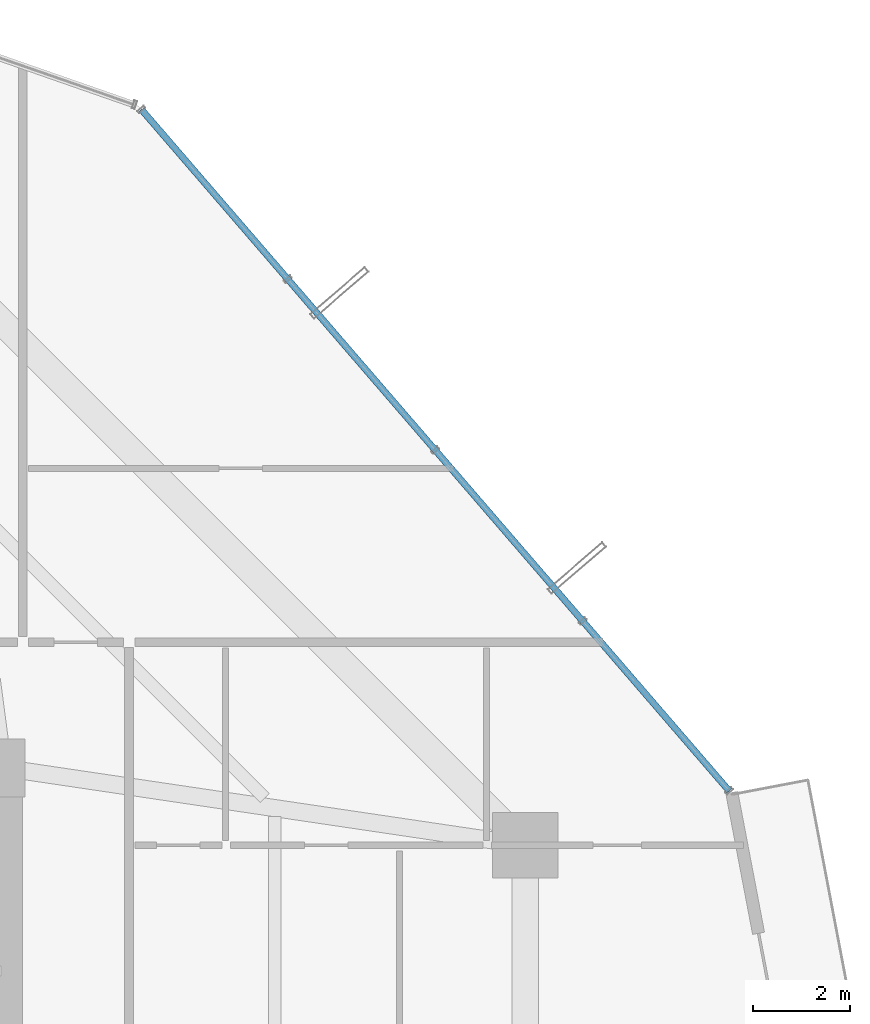
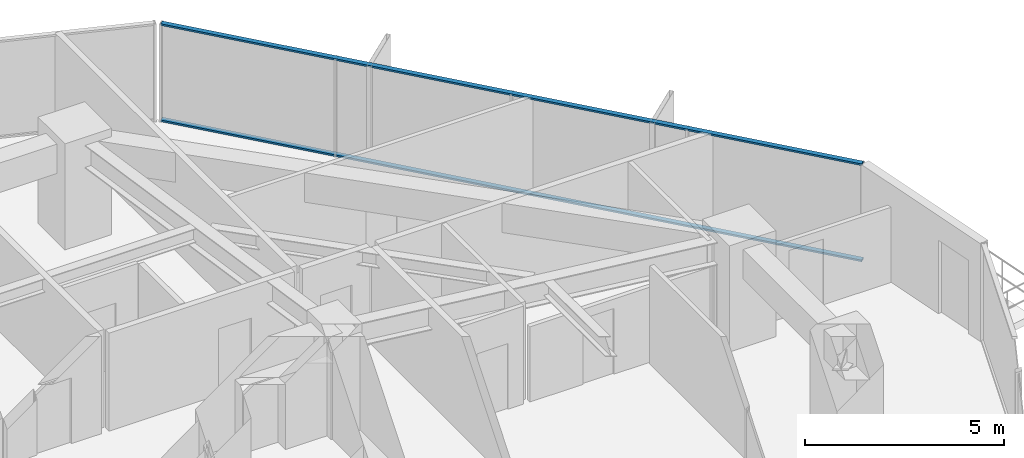
# One storey, part 30 of 38: 2 members, 1 element without a shape of its own.
"""IFC4 building model written with IfcOpenShell, lengths in metres."""

from ifc_helpers import new_model, si_unit, direction, frame, origin, origin_2d, place, context, subcontext, project, spatial, hollow_rectangle, extrude, source, transform, mapped, material, layer, layer_set, material_profile, profile_set, type_object, element, aggregate, save


model = new_model("IFC4")

# Units and contexts
model_context = context("Model", 3, precision=1e-05, world=origin(), true_north=direction((0.0, 1.0)))
body_context = subcontext(model_context, "Body", "Model", "MODEL_VIEW")
ifc_project = project(units=[si_unit("LENGTHUNIT", "METRE"), si_unit("AREAUNIT", "SQUARE_METRE"), si_unit("VOLUMEUNIT", "CUBIC_METRE"), si_unit("PLANEANGLEUNIT", "RADIAN"), si_unit("MASSUNIT", "GRAM", prefix="KILO")], contexts=[model_context])

# Site, building, storey
site_placement = place(None, origin())
site = spatial("IfcSite", under=ifc_project, at=site_placement, CompositionType="ELEMENT")
building_placement = place(site_placement, origin())
building = spatial("IfcBuilding", under=site, at=building_placement, Name="Veraguas Prism Commons", CompositionType="ELEMENT")
storey_placement = place(building_placement, frame((0.0, 0.0, 60.85009765625)))
storey = spatial("IfcBuildingStorey", under=building, at=storey_placement, Name="L16", CompositionType="ELEMENT", Elevation=60.85009765625)

# Curtain wall, members
ifc_material = material(Name="Anodised aluminium EN AW-6063 T6", Category="aluminium")
ifc_layer = layer(ifc_material, 0.169921875, Name="Unitised Flush Curtain Wall Zone 1", Category="aluminium")
ifc_layer_set = layer_set([ifc_layer], Name="Anodised aluminium EN AW-6063 T6")
curtain_wall_type = type_object("IfcCurtainWallType", Name="Unitised Flush Curtain Wall Zone 1", PredefinedType="NOTDEFINED", material=ifc_layer_set)
curtain_wall_placement = place(storey_placement, origin())
curtain_wall = element("IfcCurtainWall", 1, at=curtain_wall_placement, inside=storey, type_object=curtain_wall_type, Name="Tower Facade Curtain Wall L16-F1", PredefinedType="NOTDEFINED")
ifc_material_profile = material_profile(ifc_material, hollow_rectangle(XDim=0.054931640625, YDim=0.135009765625, WallThickness=0.0029296875, at=origin_2d()), Name="AL55X135X3")
ifc_profile_set = profile_set([ifc_material_profile], Name="Anodised aluminium EN AW-6063 T6")
member_type = type_object("IfcMemberType", Name="Curtain Wall Transom Standard AL 55x135x3", PredefinedType="USERDEFINED", material=ifc_profile_set)
shared_shape = source(origin(), body_context, "Body", "SweptSolid", [
    extrude(hollow_rectangle(XDim=0.054931640625, YDim=0.135009765625, WallThickness=0.0029296875, at=origin_2d()), origin(), (0.0, 0.0, 1.0), 18.6240234375),
])
member_1_placement = place(storey_placement, frame((45.82080078125, 30.5244140625, 0.02734375), z_axis=(-0.653153533046, 0.757225502918, 0.0), x_axis=(0.0, 0.0, 1.0)))
member_1 = element("IfcMember", 2, at=member_1_placement, type_object=member_type, Name="CW-Z1 Transom 1", ObjectType="TRANSOM", PredefinedType="USERDEFINED", context=body_context, shape_type="MappedRepresentation", body=[
    mapped(shared_shape, transform((0.0, 0.0, 0.0), scale=1.0)),
])
member_2_placement = place(storey_placement, frame((45.82080078125, 30.5244140625, 2.972412109375), z_axis=(-0.653153533046, 0.757225502918, 0.0), x_axis=(0.0, 0.0, 1.0)))
member_2 = element("IfcMember", 3, at=member_2_placement, type_object=member_type, Name="CW-Z1 Transom 2", ObjectType="TRANSOM", PredefinedType="USERDEFINED", context=body_context, shape_type="MappedRepresentation", body=[
    mapped(shared_shape, transform((0.0, 0.0, 0.0), scale=1.0)),
])
aggregate(curtain_wall, [member_1, member_2])

save(model, "model.ifc")
